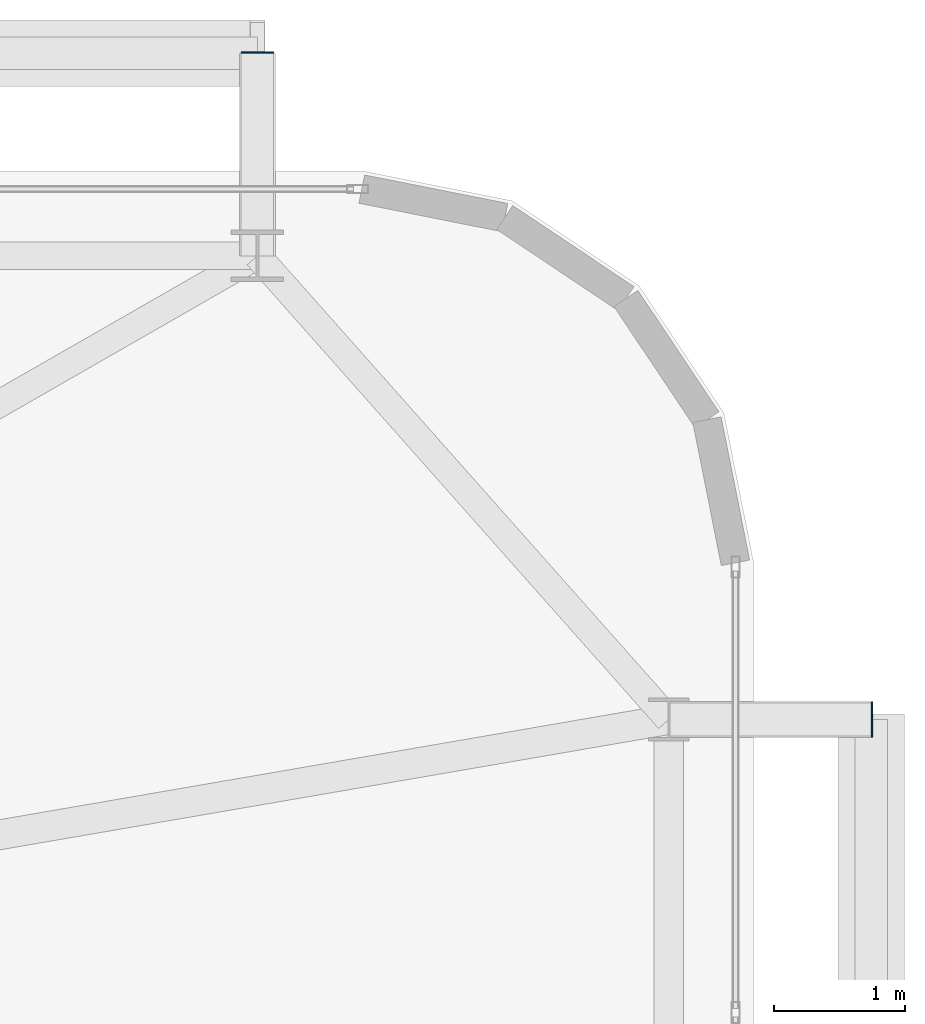
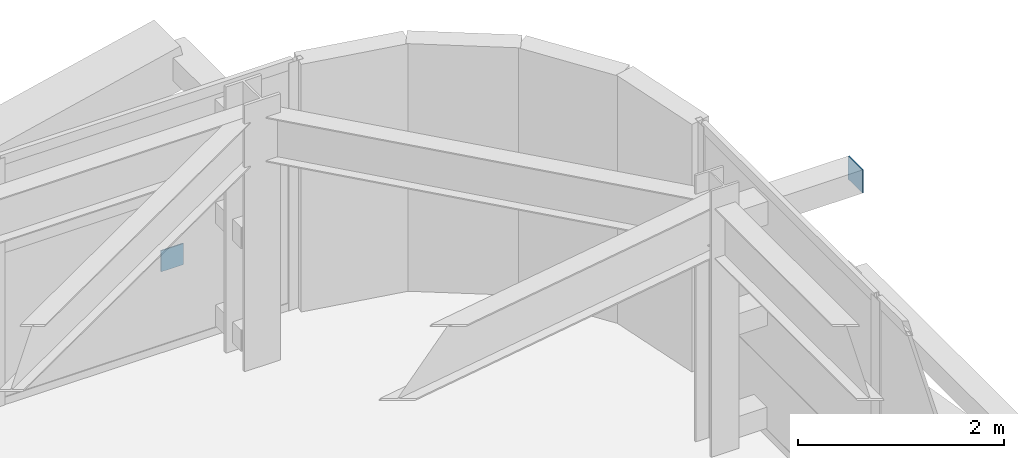
# One storey, part 51 of 59: 2 plates.
"""IFC4 building model written with IfcOpenShell, lengths in metres."""

from ifc_helpers import new_model, si_unit, direction, frame, origin, origin_2d, place, context, subcontext, project, spatial, rectangle, extrude, source, transform, mapped, material, layer, layer_set, type_object, element, save


model = new_model("IFC4")

# Units and contexts
model_context = context("Model", 3, precision=1e-05, world=origin(), true_north=direction((0.0, 1.0)))
body_context = subcontext(model_context, "Body", "Model", "MODEL_VIEW")
ifc_project = project(units=[si_unit("LENGTHUNIT", "METRE"), si_unit("AREAUNIT", "SQUARE_METRE"), si_unit("VOLUMEUNIT", "CUBIC_METRE"), si_unit("PLANEANGLEUNIT", "RADIAN"), si_unit("MASSUNIT", "GRAM", prefix="KILO")], contexts=[model_context])

# Site, building, storey
site_placement = place(None, origin())
site = spatial("IfcSite", under=ifc_project, at=site_placement, CompositionType="ELEMENT")
building_placement = place(site_placement, origin())
building = spatial("IfcBuilding", under=site, at=building_placement, Name="Taldren Reach Tower", CompositionType="ELEMENT")
storey_placement = place(building_placement, frame((0.0, 0.0, 29.39990234375)))
storey = spatial("IfcBuildingStorey", under=building, at=storey_placement, Name="L08", CompositionType="ELEMENT", Elevation=29.39990234375)

# Plates
ifc_material_1 = material(Name="Steel Gr 450 (C450L0)", Category="steel")
ifc_layer_1 = layer(ifc_material_1, 0.011962890625)
ifc_layer_set_1 = layer_set([ifc_layer_1], Name="Steel Gr 450 (C450L0)")
plate_type_1 = type_object("IfcPlateType", Name="PL-CAP-275", PredefinedType="SHEET", material=ifc_layer_set_1)
shared_shape_1 = source(origin(), body_context, "Body", "SweptSolid", [
    extrude(rectangle(XDim=0.011962890625, YDim=0.27490234375, at=origin_2d()), origin(), (0.0, 0.0, 1.0), 0.27490234375),
])
plate_1_placement = place(storey_placement, frame((65.906005859375, 34.300048828125, 2.5126953125), z_axis=(0.0, 0.0, 1.0), x_axis=(1.0, 0.0, 0.0)))
element("IfcPlate", 1, at=plate_1_placement, inside=storey, type_object=plate_type_1, Name="Tie strut end cap plate B1-E3 L08", PredefinedType="SHEET", context=body_context, shape_type="MappedRepresentation", body=[
    mapped(shared_shape_1, transform((0.0, 0.0, 0.0), scale=1.0)),
])
ifc_material_2 = material(Name="Steel Gr 350 (C350L0)", Category="steel")
ifc_layer_2 = layer(ifc_material_2, 0.011962890625)
ifc_layer_set_2 = layer_set([ifc_layer_2], Name="Steel Gr 350 (C350L0)")
plate_type_2 = type_object("IfcPlateType", Name="PL-CAP-250", PredefinedType="SHEET", material=ifc_layer_set_2)
shared_shape_2 = source(origin(), body_context, "Body", "SweptSolid", [
    extrude(rectangle(XDim=0.25, YDim=0.011962890625, at=origin_2d()), origin(), (0.0, 0.0, 1.0), 0.25),
])
plate_2_placement = place(storey_placement, frame((61.199951171875, 39.406005859375, 0.09521484375), z_axis=(0.0, 0.0, 1.0), x_axis=(1.0, 0.0, 0.0)))
element("IfcPlate", 2, at=plate_2_placement, inside=storey, type_object=plate_type_2, Name="Tie strut end cap plate B1-N6 L08", PredefinedType="SHEET", context=body_context, shape_type="MappedRepresentation", body=[
    mapped(shared_shape_2, transform((0.0, 0.0, 0.0), scale=1.0)),
])

save(model, "model.ifc")
